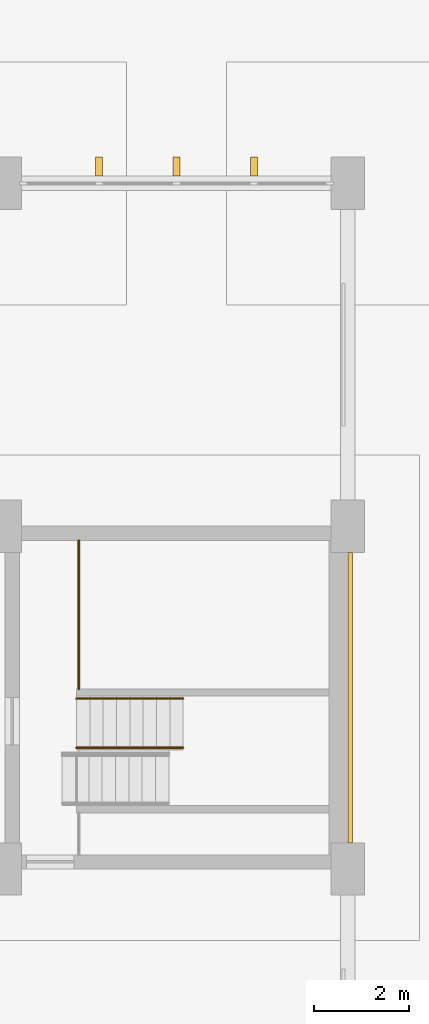
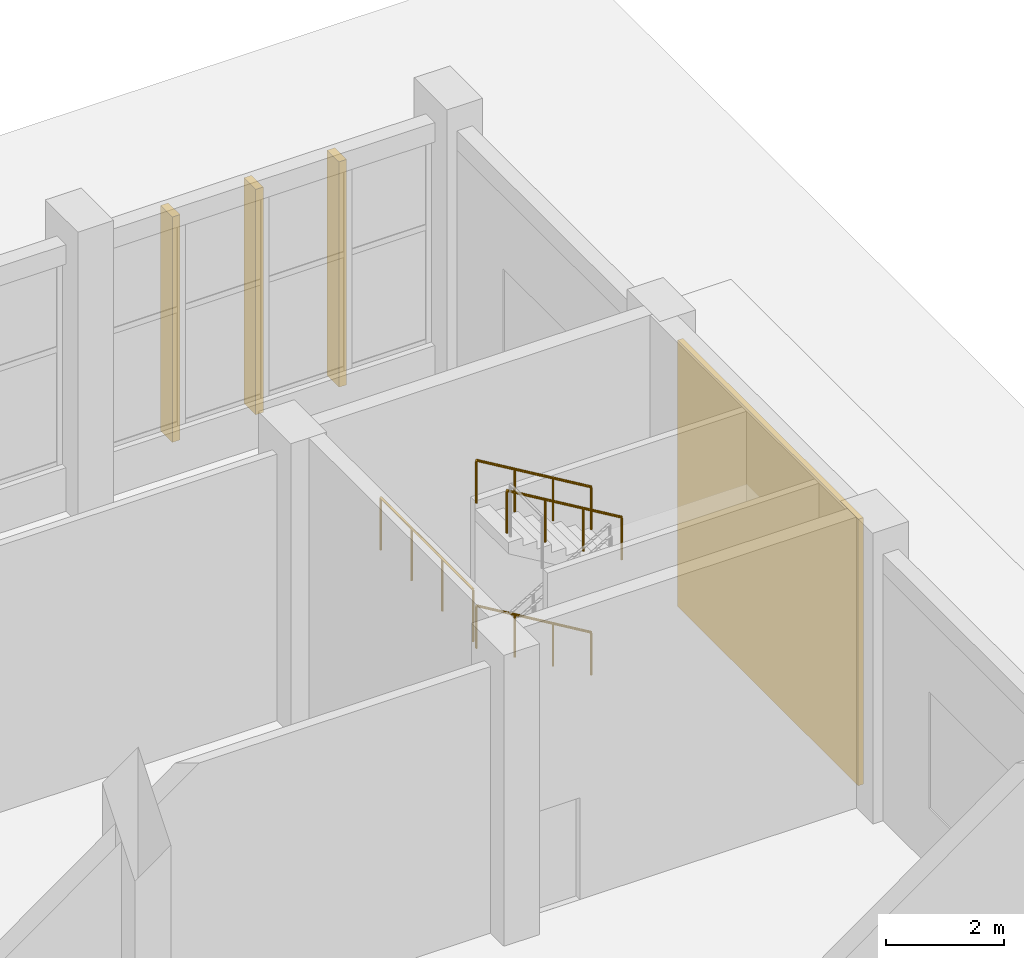
# One storey, part 69 of 70: 4 coverings, 4 railings.
"""IFC4 building model written with IfcOpenShell, lengths in metres."""

from ifc_helpers import new_model, si_unit, direction, frame, frame_2d, origin, origin_2d, place, context, subcontext, project, spatial, polyline, rectangle, circle, outline, extrude, material, layer, layer_set, type_object, element, save


model = new_model("IFC4")

# Units and contexts
model_context = context("Model", 3, precision=1e-05, world=origin(), true_north=direction((0.0, 1.0)))
body_context = subcontext(model_context, "Body", "Model", "MODEL_VIEW")
ifc_project = project(units=[si_unit("LENGTHUNIT", "METRE"), si_unit("AREAUNIT", "SQUARE_METRE"), si_unit("VOLUMEUNIT", "CUBIC_METRE"), si_unit("PLANEANGLEUNIT", "RADIAN"), si_unit("MASSUNIT", "GRAM", prefix="KILO")], contexts=[model_context])

# Site, building, storey
site_placement = place(None, origin())
site = spatial("IfcSite", under=ifc_project, at=site_placement, CompositionType="ELEMENT")
building_placement = place(site_placement, origin())
building = spatial("IfcBuilding", under=site, at=building_placement, Name="Vermilion Court Aquatics Centre", CompositionType="ELEMENT")
storey_placement = place(building_placement, origin())
storey = spatial("IfcBuildingStorey", under=building, at=storey_placement, Name="L00", CompositionType="ELEMENT", Elevation=0.0)

# Covering
ifc_material_1 = material(Name="Brick masonry", Category="masonry")
ifc_layer_1 = layer(ifc_material_1, 0.10205078125)
ifc_layer_set_1 = layer_set([ifc_layer_1], Name="North block brick facing 102")
covering_type_1 = type_object("IfcCoveringType", Name="North block brick facing 102", PredefinedType="CLADDING", material=ifc_layer_set_1)
covering_placement = place(storey_placement, origin())
element("IfcCovering", 1, at=covering_placement, inside=storey, type_object=covering_type_1, Name="North block brick facing east end 9", PredefinedType="CLADDING", context=body_context, shape_type="SweptSolid", body=[
    extrude(outline(polyline([(194.39990234375, 101.35009765625), (194.501953125, 101.35009765625), (194.501953125, 107.449951171875), (194.39990234375, 107.449951171875), (194.39990234375, 101.35009765625)])), origin(), (0.0, 0.0, 1.0), 5.5),
])

# Railings
ifc_material_2 = material(Name="Steel ASTM A992 Grade 50", Category="steel")
railing_type_1 = type_object("IfcRailingType", Name="North block stair guard 1100", PredefinedType="GUARDRAIL", material=ifc_material_2)
railing_placement = place(storey_placement, frame((188.75, 104.580078125, 3.0)))
element("IfcRailing", 2, at=railing_placement, inside=storey, type_object=railing_type_1, Name="Stair 2 guard landing 2 L00", PredefinedType="GUARDRAIL", context=body_context, shape_type="SweptSolid", body=[
    extrude(circle(Radius=0.02392578125, at=origin_2d()), frame((0.0, 0.0, 1.076171875), z_axis=(0.0, 1.0, 0.0), x_axis=(-1.0, 0.0, 0.0)), (0.0, 0.0, 1.0), 3.119873046875),
    extrude(circle(Radius=0.02099609375, at=origin_2d()), origin(), (0.0, 0.0, 1.0), 1.052001953125),
    extrude(circle(Radius=0.02099609375, at=origin_2d()), frame((0.0, 1.0400390625, 0.0)), (0.0, 0.0, 1.0), 1.052001953125),
    extrude(circle(Radius=0.02099609375, at=origin_2d()), frame((0.0, 2.079833984375, 0.0)), (0.0, 0.0, 1.0), 1.052001953125),
    extrude(circle(Radius=0.02099609375, at=origin_2d()), frame((0.0, 3.119873046875, 0.0)), (0.0, 0.0, 1.0), 1.052001953125),
])
ifc_material_3 = material(Name="Steel ASTM A992 Grade 50", Category="steel")
railing_type_2 = type_object("IfcRailingType", Name="North block stair handrail 900", PredefinedType="HANDRAIL", material=ifc_material_3)
for number, where, name in (
    (3, (190.93994140625, 104.3798828125, 1.666748046875), "Stair 2 handrail wall L00"),
    (4, (190.93994140625, 104.3798828125, 4.666748046875), "Stair 2 handrail wall L00"),
    (5, (190.93994140625, 103.35009765625, 4.666748046875), "Stair 2 handrail well L00"),
):
    element("IfcRailing", number, at=place(storey_placement, frame(where)), inside=storey, type_object=railing_type_2, Name=name, PredefinedType="HANDRAIL", context=body_context, shape_type="SweptSolid", body=[
        extrude(circle(Radius=0.02392578125, at=origin_2d()), frame((0.0, 0.0, 0.8759765625), z_axis=(-0.859305625298, 0.0, 0.511462454469), x_axis=(0.0, -1.0, 0.0)), (0.0, 0.0, 1.0), 2.606689453125),
        extrude(circle(Radius=0.02099609375, at=origin_2d()), origin(), (0.0, 0.0, 1.0), 0.851806640625),
        extrude(circle(Radius=0.02099609375, at=origin_2d()), frame((-0.74658203125, 0.0, 0.4443359375)), (0.0, 0.0, 1.0), 0.851806640625),
        extrude(circle(Radius=0.02099609375, at=origin_2d()), frame((-1.493408203125, 0.0, 0.888916015625)), (0.0, 0.0, 1.0), 0.851806640625),
        extrude(circle(Radius=0.02099609375, at=origin_2d()), frame((-2.239990234375, 0.0, 1.333251953125)), (0.0, 0.0, 1.0), 0.851806640625),
    ])

# Coverings
ifc_material_4 = material(Name="Terracotta cladding", Category="masonry")
ifc_layer_2 = layer(ifc_material_4, 0.14990234375)
ifc_layer_set_2 = layer_set([ifc_layer_2], Name="Podium terracotta sunscreen fin 150")
covering_type_2 = type_object("IfcCoveringType", Name="Podium terracotta sunscreen fin 150", PredefinedType="CLADDING", material=ifc_layer_set_2)
for number, where, z_axis, x_axis, name in (
    (6, (189.175048828125, 115.35009765625, 0.449951171875), (0.0, 0.0, 1.0), (0.0, 1.0, 0.0), "Sunscreen fin L00"),
    (7, (190.800048828125, 115.35009765625, 0.449951171875), (0.0, 0.0, 1.0), (0.0, 1.0, 0.0), "Sunscreen fin L00"),
    (8, (192.425048828125, 115.35009765625, 0.449951171875), (0.0, 0.0, 1.0), (0.0, 1.0, 0.0), "Sunscreen fin L00"),
):
    element("IfcCovering", number, at=place(storey_placement, frame(where, z_axis=z_axis, x_axis=x_axis)), inside=storey, type_object=covering_type_2, Name=name, PredefinedType="CLADDING", context=body_context, shape_type="SweptSolid", body=[
        extrude(rectangle(XDim=0.39990234375, YDim=0.14990234375, at=frame_2d((0.199951171875, 0.0))), origin(), (0.0, 0.0, 1.0), 4.650146484375),
    ])

save(model, "model.ifc")
